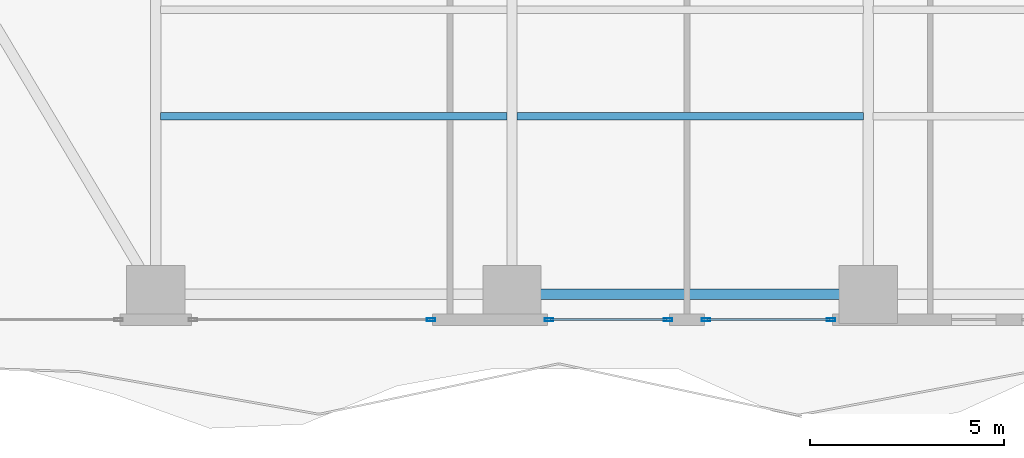
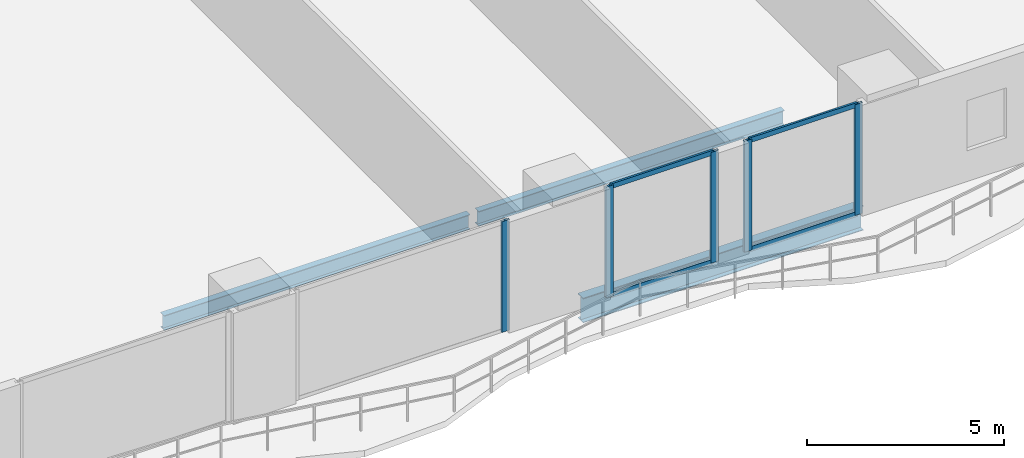
# One storey, part 4 of 30: 9 members, 3 beams, 3 elements without a shape of their own.
"""IFC4 building model written with IfcOpenShell, lengths in metres."""

from ifc_helpers import new_model, si_unit, direction, frame, origin, origin_2d, place, context, subcontext, project, spatial, hollow_rectangle, i_section, extrude, material, layer, layer_set, material_profile, profile_set, type_object, element, aggregate, save


model = new_model("IFC4")

# Units and contexts
model_context = context("Model", 3, precision=1e-05, world=origin(), true_north=direction((0.0, 1.0)))
body_context = subcontext(model_context, "Body", "Model", "MODEL_VIEW")
ifc_project = project(units=[si_unit("LENGTHUNIT", "METRE"), si_unit("AREAUNIT", "SQUARE_METRE"), si_unit("VOLUMEUNIT", "CUBIC_METRE"), si_unit("PLANEANGLEUNIT", "RADIAN"), si_unit("MASSUNIT", "GRAM", prefix="KILO")], contexts=[model_context])

# Site, building, storey
site_placement = place(None, origin())
site = spatial("IfcSite", under=ifc_project, at=site_placement, CompositionType="ELEMENT")
building_placement = place(site_placement, origin())
building = spatial("IfcBuilding", under=site, at=building_placement, Name="Zuhayl Quay Hotel", CompositionType="ELEMENT")
storey_placement = place(building_placement, frame((0.0, 0.0, 82.35009765625)))
storey = spatial("IfcBuildingStorey", under=building, at=storey_placement, Name="L20", CompositionType="ELEMENT", Elevation=82.35009765625)

# Beams
ifc_material_1 = material(Name="Steel ASTM A992 Grade 50", Category="steel")
ifc_material_profile_1 = material_profile(ifc_material_1, i_section(OverallWidth=0.26708984375, OverallDepth=0.761962890625, WebThickness=0.014404296875, FlangeThickness=0.021484375, at=origin_2d()), Name="W30X116")
ifc_profile_set_1 = profile_set([ifc_material_profile_1], Name="Steel ASTM A992 Grade 50")
beam_type_1 = type_object("IfcBeamType", Name="BM_B1_W30X116", PredefinedType="BEAM", material=ifc_profile_set_1)
beam_1_placement = place(storey_placement, frame((-4.10009765625, -22.449951171875, -0.60107421875), z_axis=(1.0, 0.0, 0.0), x_axis=(0.0, 1.0, 0.0)))
element("IfcBeam", 1, at=beam_1_placement, inside=storey, type_object=beam_type_1, Name="L20 Floor Beam RG_L20_02", PredefinedType="BEAM", context=body_context, shape_type="SweptSolid", body=[
    extrude(i_section(OverallWidth=0.26708984375, OverallDepth=0.761962890625, WebThickness=0.014404296875, FlangeThickness=0.021484375, at=origin_2d()), origin(), (0.0, 0.0, 1.0), 8.2001953125),
])
ifc_material_profile_2 = material_profile(ifc_material_1, i_section(OverallWidth=0.18994140625, OverallDepth=0.45703125, WebThickness=0.009033203125, FlangeThickness=0.014404296875, at=origin_2d()), Name="W18X50")
ifc_profile_set_2 = profile_set([ifc_material_profile_2], Name="Steel ASTM A992 Grade 50")
beam_type_2 = type_object("IfcBeamType", Name="BM_J2_W18X50", PredefinedType="JOIST", material=ifc_profile_set_2)
beam_2_placement = place(storey_placement, frame((-13.674560546875, -17.85009765625, -0.448486328125), z_axis=(1.0, 0.0, 0.0), x_axis=(0.0, 1.0, 0.0)))
element("IfcBeam", 2, at=beam_2_placement, inside=storey, type_object=beam_type_2, Name="L20 Floor Beam FJ_L20_3_1", PredefinedType="JOIST", context=body_context, shape_type="SweptSolid", body=[
    extrude(i_section(OverallWidth=0.18994140625, OverallDepth=0.45703125, WebThickness=0.009033203125, FlangeThickness=0.014404296875, at=origin_2d()), origin(), (0.0, 0.0, 1.0), 8.948974609375),
])
beam_3_placement = place(storey_placement, frame((-4.474609375, -17.85009765625, -0.448486328125), z_axis=(1.0, 0.0, 0.0), x_axis=(0.0, 1.0, 0.0)))
element("IfcBeam", 3, at=beam_3_placement, inside=storey, type_object=beam_type_2, Name="L20 Floor Beam FJ_L20_3_2", PredefinedType="JOIST", context=body_context, shape_type="SweptSolid", body=[
    extrude(i_section(OverallWidth=0.18994140625, OverallDepth=0.45703125, WebThickness=0.009033203125, FlangeThickness=0.014404296875, at=origin_2d()), origin(), (0.0, 0.0, 1.0), 8.94921875),
])

# Curtain wall, members
ifc_material_2 = material(Name="Anodised Aluminium 6063-T6", Category="aluminium")
ifc_layer = layer(ifc_material_2, 0.18994140625, Name="Anodised Aluminium 6063-T6", Category="aluminium")
ifc_layer_set = layer_set([ifc_layer], Name="Anodised Aluminium 6063-T6")
curtain_wall_type = type_object("IfcCurtainWallType", Name="CW_SYS_Z1", PredefinedType="USERDEFINED", material=ifc_layer_set)
curtain_wall_1_placement = place(storey_placement, origin())
curtain_wall_1 = element("IfcCurtainWall", 4, at=curtain_wall_1_placement, inside=storey, type_object=curtain_wall_type, Name="L20 Curtain Wall ENV_L20_S_CW3", ObjectType="UNITISED CURTAIN WALL", PredefinedType="USERDEFINED")
ifc_material_3 = material(Name="Black-anodised aluminium 6063-T6", Category="aluminium")
ifc_material_profile_3 = material_profile(ifc_material_3, hollow_rectangle(XDim=0.074951171875, YDim=0.219970703125, WallThickness=0.00390625, at=origin_2d()), Name="ALU220X75")
ifc_profile_set_3 = profile_set([ifc_material_profile_3], Name="Black-anodised aluminium 6063-T6")
member_type_1 = type_object("IfcMemberType", Name="MB_CW_MUL_220", PredefinedType="MULLION", material=ifc_profile_set_3)
member_1_placement = place(storey_placement, frame((3.642578125, -23.10009765625, 0.0), z_axis=(0.0, 0.0, 1.0), x_axis=(0.0, -1.0, 0.0)))
member_1 = element("IfcMember", 5, at=member_1_placement, type_object=member_type_1, Name="CW-Z1 mullion 1", PredefinedType="MULLION", context=body_context, shape_type="SweptSolid", body=[
    extrude(hollow_rectangle(XDim=0.074951171875, YDim=0.219970703125, WallThickness=0.00390625, at=origin_2d()), origin(), (0.0, 0.0, 1.0), 3.429931640625),
])
member_2_placement = place(storey_placement, frame((0.407470703125, -23.10009765625, 0.0), z_axis=(0.0, 0.0, 1.0), x_axis=(0.0, -1.0, 0.0)))
member_2 = element("IfcMember", 6, at=member_2_placement, type_object=member_type_1, Name="CW-Z1 mullion 2", PredefinedType="MULLION", context=body_context, shape_type="SweptSolid", body=[
    extrude(hollow_rectangle(XDim=0.074951171875, YDim=0.219970703125, WallThickness=0.00390625, at=origin_2d()), origin(), (0.0, 0.0, 1.0), 3.429931640625),
])

curtain_wall_2_placement = place(storey_placement, origin())
curtain_wall_2 = element("IfcCurtainWall", 7, at=curtain_wall_2_placement, inside=storey, type_object=curtain_wall_type, Name="L20 Curtain Wall ENV_L20_S_CW4", ObjectType="UNITISED CURTAIN WALL", PredefinedType="USERDEFINED")
member_3_placement = place(storey_placement, frame((-0.5673828125, -23.10009765625, 0.0), z_axis=(0.0, 0.0, 1.0), x_axis=(0.0, -1.0, 0.0)))
member_3 = element("IfcMember", 8, at=member_3_placement, type_object=member_type_1, Name="CW-Z1 mullion 1", PredefinedType="MULLION", context=body_context, shape_type="SweptSolid", body=[
    extrude(hollow_rectangle(XDim=0.074951171875, YDim=0.219970703125, WallThickness=0.00390625, at=origin_2d()), origin(), (0.0, 0.0, 1.0), 3.429931640625),
])
member_4_placement = place(storey_placement, frame((-3.642578125, -23.10009765625, 0.0), z_axis=(0.0, 0.0, 1.0), x_axis=(0.0, -1.0, 0.0)))
member_4 = element("IfcMember", 9, at=member_4_placement, type_object=member_type_1, Name="CW-Z1 mullion 2", PredefinedType="MULLION", context=body_context, shape_type="SweptSolid", body=[
    extrude(hollow_rectangle(XDim=0.074951171875, YDim=0.219970703125, WallThickness=0.00390625, at=origin_2d()), origin(), (0.0, 0.0, 1.0), 3.429931640625),
])

# Curtain wall, member
curtain_wall_3_placement = place(storey_placement, origin())
curtain_wall_3 = element("IfcCurtainWall", 10, at=curtain_wall_3_placement, inside=storey, type_object=curtain_wall_type, Name="L20 Curtain Wall ENV_L20_S_CW5", ObjectType="UNITISED CURTAIN WALL", PredefinedType="USERDEFINED")
member_5_placement = place(storey_placement, frame((-6.6875, -23.10009765625, 0.0), z_axis=(0.0, 0.0, 1.0), x_axis=(0.0, -1.0, 0.0)))
member_5 = element("IfcMember", 11, at=member_5_placement, type_object=member_type_1, Name="CW-Z1 mullion 1", PredefinedType="MULLION", context=body_context, shape_type="SweptSolid", body=[
    extrude(hollow_rectangle(XDim=0.074951171875, YDim=0.219970703125, WallThickness=0.00390625, at=origin_2d()), origin(), (0.0, 0.0, 1.0), 3.429931640625),
])
aggregate(curtain_wall_3, [member_5])

# Member
ifc_material_profile_4 = material_profile(ifc_material_3, hollow_rectangle(XDim=0.06005859375, YDim=0.14990234375, WallThickness=0.00341796875, at=origin_2d()), Name="ALU150X60")
ifc_profile_set_4 = profile_set([ifc_material_profile_4], Name="Black-anodised aluminium 6063-T6")
member_type_2 = type_object("IfcMemberType", Name="MB_CW_TRN_150", PredefinedType="USERDEFINED", material=ifc_profile_set_4)
member_6_placement = place(storey_placement, frame((3.60498046875, -23.10009765625, 0.02978515625), z_axis=(-1.0, 0.0, 0.0), x_axis=(0.0, -1.0, 0.0)))
member_6 = element("IfcMember", 12, at=member_6_placement, type_object=member_type_2, Name="CW-Z1 transom 1.1", ObjectType="TRANSOM", PredefinedType="USERDEFINED", context=body_context, shape_type="SweptSolid", body=[
    extrude(hollow_rectangle(XDim=0.06005859375, YDim=0.14990234375, WallThickness=0.00341796875, at=origin_2d()), origin(), (0.0, 0.0, 1.0), 3.159912109375),
])

member_7_placement = place(storey_placement, frame((3.60498046875, -23.10009765625, 3.39990234375), z_axis=(-1.0, 0.0, 0.0), x_axis=(0.0, -1.0, 0.0)))
member_7 = element("IfcMember", 13, at=member_7_placement, type_object=member_type_2, Name="CW-Z1 transom 1.2", ObjectType="TRANSOM", PredefinedType="USERDEFINED", context=body_context, shape_type="SweptSolid", body=[
    extrude(hollow_rectangle(XDim=0.06005859375, YDim=0.14990234375, WallThickness=0.00341796875, at=origin_2d()), origin(), (0.0, 0.0, 1.0), 3.159912109375),
])

aggregate(curtain_wall_1, [member_1, member_2, member_6, member_7])

member_8_placement = place(storey_placement, frame((-0.60498046875, -23.10009765625, 0.02978515625), z_axis=(-1.0, 0.0, 0.0), x_axis=(0.0, -1.0, 0.0)))
member_8 = element("IfcMember", 14, at=member_8_placement, type_object=member_type_2, Name="CW-Z1 transom 1.1", ObjectType="TRANSOM", PredefinedType="USERDEFINED", context=body_context, shape_type="SweptSolid", body=[
    extrude(hollow_rectangle(XDim=0.06005859375, YDim=0.14990234375, WallThickness=0.00341796875, at=origin_2d()), origin(), (0.0, 0.0, 1.0), 3.0),
])

member_9_placement = place(storey_placement, frame((-0.60498046875, -23.10009765625, 3.39990234375), z_axis=(-1.0, 0.0, 0.0), x_axis=(0.0, -1.0, 0.0)))
member_9 = element("IfcMember", 15, at=member_9_placement, type_object=member_type_2, Name="CW-Z1 transom 1.2", ObjectType="TRANSOM", PredefinedType="USERDEFINED", context=body_context, shape_type="SweptSolid", body=[
    extrude(hollow_rectangle(XDim=0.06005859375, YDim=0.14990234375, WallThickness=0.00341796875, at=origin_2d()), origin(), (0.0, 0.0, 1.0), 3.0),
])

aggregate(curtain_wall_2, [member_3, member_4, member_8, member_9])

save(model, "model.ifc")
